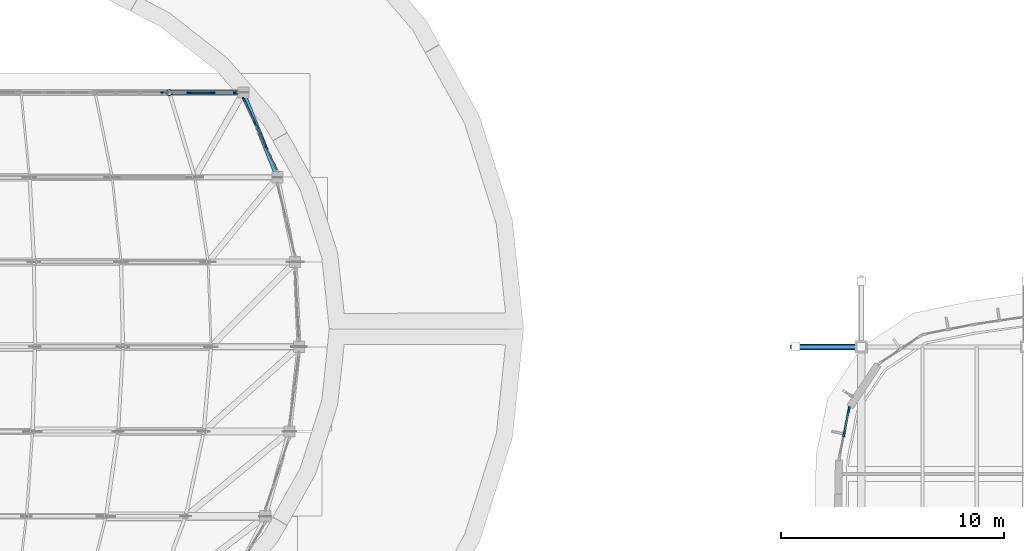
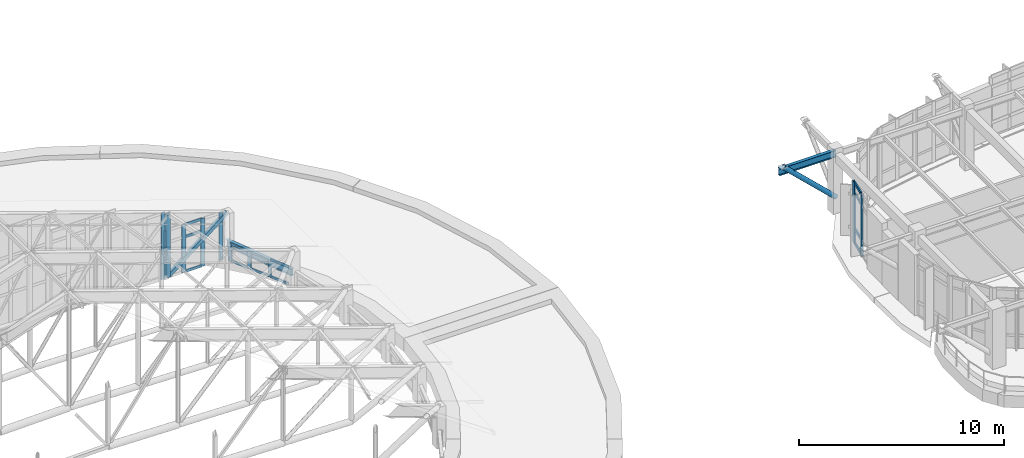
# One storey, part 21 of 105: 26 members, 2 beams, 4 elements without a shape of their own.
"""IFC4 building model written with IfcOpenShell, lengths in metres."""

from ifc_helpers import new_model, si_unit, direction, frame, origin, origin_2d, place, context, subcontext, project, spatial, rectangle, hollow_rectangle, hollow_circle, i_section, extrude, material, material_profile, profile_set, type_object, element, aggregate, save


model = new_model("IFC4")

# Units and contexts
model_context = context("Model", 3, precision=1e-05, world=origin(), true_north=direction((0.0, 1.0)))
body_context = subcontext(model_context, "Body", "Model", "MODEL_VIEW")
ifc_project = project(units=[si_unit("LENGTHUNIT", "METRE"), si_unit("AREAUNIT", "SQUARE_METRE"), si_unit("VOLUMEUNIT", "CUBIC_METRE"), si_unit("PLANEANGLEUNIT", "RADIAN"), si_unit("MASSUNIT", "GRAM", prefix="KILO")], contexts=[model_context])

# Site, building, storey
site_placement = place(None, origin())
site = spatial("IfcSite", under=ifc_project, at=site_placement, CompositionType="ELEMENT")
building_placement = place(site_placement, origin())
building = spatial("IfcBuilding", under=site, at=building_placement, Name="Corveleigh Park Community Centre", CompositionType="ELEMENT")
storey_placement = place(building_placement, frame((0.0, 0.0, 8.699951171875)))
storey = spatial("IfcBuildingStorey", under=building, at=storey_placement, Name="L02", CompositionType="ELEMENT", Elevation=8.699951171875)

# Beams
ifc_material_1 = material(Name="Steel S355", Category="steel")
ifc_material_profile_1 = material_profile(ifc_material_1, i_section(OverallWidth=0.1787109375, OverallDepth=0.409423828125, WebThickness=0.0087890625, FlangeThickness=0.014404296875, at=origin_2d()), Name="UKB 406x178x67", Category="steel")
ifc_profile_set_1 = profile_set([ifc_material_profile_1], Name="Steel S355")
beam_type = type_object("IfcBeamType", Name="BM-STL-UKB406x67", PredefinedType="BEAM", material=ifc_profile_set_1)
beam_1_placement = place(storey_placement, frame((45.817138671875, 34.404541015625, 0.915283203125), z_axis=(-0.373254520888, 0.927728981242, 0.0), x_axis=(-0.927728981242, -0.373254520888, 0.0)))
element("IfcBeam", 1, at=beam_1_placement, inside=storey, type_object=beam_type, Name="V1 East Eave Tie Beam", PredefinedType="BEAM", context=body_context, shape_type="SweptSolid", body=[
    extrude(i_section(OverallWidth=0.1787109375, OverallDepth=0.409423828125, WebThickness=0.0087890625, FlangeThickness=0.014404296875, at=origin_2d()), origin(), (0.0, 0.0, 1.0), 4.086181640625),
])
beam_2_placement = place(storey_placement, frame((71.989990234375, 26.800048828125, 3.459228515625), z_axis=(-1.0, 0.0, 0.0), x_axis=(0.0, -1.0, 0.0)))
element("IfcBeam", 2, at=beam_2_placement, inside=storey, type_object=beam_type, Name="V3 End Pebble Overhang Strut 0-2 Outrigger", PredefinedType="BEAM", context=body_context, shape_type="SweptSolid", body=[
    extrude(i_section(OverallWidth=0.1787109375, OverallDepth=0.409423828125, WebThickness=0.0087890625, FlangeThickness=0.014404296875, at=origin_2d()), origin(), (0.0, 0.0, 1.0), 3.18994140625),
])

# Curtain wall, members
ifc_material_2 = material(Name="Anodised aluminium 6063-T6", Category="aluminium")
curtain_wall_type_1 = type_object("IfcCurtainWallType", Name="CW-SYS-V1-L00", PredefinedType="NOTDEFINED", material=ifc_material_2)
curtain_wall_1_placement = place(storey_placement, origin())
curtain_wall_1 = element("IfcCurtainWall", 3, at=curtain_wall_1_placement, inside=storey, type_object=curtain_wall_type_1, Name="Main Hall East Eave Clerestory 6", PredefinedType="NOTDEFINED")
ifc_material_profile_2 = material_profile(ifc_material_2, rectangle(XDim=0.070068359375, YDim=0.199951171875, at=origin_2d()), Name="ALU-M70x200", Category="aluminium")
ifc_profile_set_2 = profile_set([ifc_material_profile_2], Name="Anodised aluminium 6063-T6")
member_type_1 = type_object("IfcMemberType", Name="CWM-70x200", PredefinedType="MULLION", material=ifc_profile_set_2)
member_1_placement = place(storey_placement, frame((44.304931640625, 37.888427734375, 0.0), z_axis=(0.0, 0.0, 1.0), x_axis=(0.904356392626, 0.426778063068, 0.0)))
member_1 = element("IfcMember", 4, at=member_1_placement, type_object=member_type_1, Name="CW01 mullion 1", PredefinedType="MULLION", context=body_context, shape_type="SweptSolid", body=[
    extrude(rectangle(XDim=0.070068359375, YDim=0.199951171875, at=origin_2d()), origin(), (0.0, 0.0, 1.0), 1.06005859375),
])
member_2_placement = place(storey_placement, frame((44.799560546875, 36.840087890625, 0.0), z_axis=(0.0, 0.0, 1.0), x_axis=(0.904356392626, 0.426778063068, 0.0)))
member_2 = element("IfcMember", 5, at=member_2_placement, type_object=member_type_1, Name="CW01 mullion 2", PredefinedType="MULLION", context=body_context, shape_type="SweptSolid", body=[
    extrude(rectangle(XDim=0.070068359375, YDim=0.199951171875, at=origin_2d()), origin(), (0.0, 0.0, 1.0), 1.06005859375),
])
member_3_placement = place(storey_placement, frame((45.309326171875, 35.760009765625, 0.0), z_axis=(0.0, 0.0, 1.0), x_axis=(0.904356392626, 0.426778063068, 0.0)))
member_3 = element("IfcMember", 6, at=member_3_placement, type_object=member_type_1, Name="CW01 mullion 3", PredefinedType="MULLION", context=body_context, shape_type="SweptSolid", body=[
    extrude(rectangle(XDim=0.070068359375, YDim=0.199951171875, at=origin_2d()), origin(), (0.0, 0.0, 1.0), 1.06005859375),
])

# Curtain wall, member
curtain_wall_type_2 = type_object("IfcCurtainWallType", Name="CW-SYS-V1-DRUM", PredefinedType="NOTDEFINED", material=ifc_material_2)
curtain_wall_2_placement = place(storey_placement, origin())
curtain_wall_2 = element("IfcCurtainWall", 7, at=curtain_wall_2_placement, inside=storey, type_object=curtain_wall_type_2, Name="Main Hall N Gable Clerestory 7", PredefinedType="NOTDEFINED")
ifc_material_profile_3 = material_profile(ifc_material_2, rectangle(XDim=0.074951171875, YDim=0.219970703125, at=origin_2d()), Name="ALU-M75x220", Category="aluminium")
ifc_profile_set_3 = profile_set([ifc_material_profile_3], Name="Anodised aluminium 6063-T6")
member_type_2 = type_object("IfcMemberType", Name="CWM-75x220", PredefinedType="MULLION", material=ifc_profile_set_3)
member_4_placement = place(storey_placement, frame((40.689453125, 38.199951171875, 0.0), z_axis=(0.0, 0.0, 1.0), x_axis=(0.0, -1.0, 0.0)))
member_4 = element("IfcMember", 8, at=member_4_placement, type_object=member_type_2, Name="CW02 mullion 1", PredefinedType="MULLION", context=body_context, shape_type="SweptSolid", body=[
    extrude(rectangle(XDim=0.074951171875, YDim=0.219970703125, at=origin_2d()), origin(), (0.0, 0.0, 1.0), 3.967041015625),
])
aggregate(curtain_wall_2, [member_4])

# Curtain wall, members
curtain_wall_3_placement = place(storey_placement, origin())
curtain_wall_3 = element("IfcCurtainWall", 9, at=curtain_wall_3_placement, inside=storey, type_object=curtain_wall_type_2, Name="Main Hall N Gable Clerestory 8", PredefinedType="NOTDEFINED")
member_5_placement = place(storey_placement, frame((43.9423828125, 38.199951171875, 0.0), z_axis=(0.0, 0.0, 1.0), x_axis=(0.0, -1.0, 0.0)))
member_5 = element("IfcMember", 10, at=member_5_placement, type_object=member_type_2, Name="CW02 mullion 1", PredefinedType="MULLION", context=body_context, shape_type="SweptSolid", body=[
    extrude(rectangle(XDim=0.074951171875, YDim=0.219970703125, at=origin_2d()), origin(), (0.0, 0.0, 1.0), 2.85498046875),
])
member_6_placement = place(storey_placement, frame((42.916015625, 38.199951171875, 0.0), z_axis=(0.0, 0.0, 1.0), x_axis=(0.0, -1.0, 0.0)))
member_6 = element("IfcMember", 11, at=member_6_placement, type_object=member_type_2, Name="CW02 mullion 2", PredefinedType="MULLION", context=body_context, shape_type="SweptSolid", body=[
    extrude(rectangle(XDim=0.074951171875, YDim=0.219970703125, at=origin_2d()), origin(), (0.0, 0.0, 1.0), 2.85498046875),
])
member_7_placement = place(storey_placement, frame((41.85205078125, 38.199951171875, 0.0), z_axis=(0.0, 0.0, 1.0), x_axis=(0.0, -1.0, 0.0)))
member_7 = element("IfcMember", 12, at=member_7_placement, type_object=member_type_2, Name="CW02 mullion 3", PredefinedType="MULLION", context=body_context, shape_type="SweptSolid", body=[
    extrude(rectangle(XDim=0.074951171875, YDim=0.219970703125, at=origin_2d()), origin(), (0.0, 0.0, 1.0), 2.85498046875),
])
member_8_placement = place(storey_placement, frame((40.825439453125, 38.199951171875, 0.0), z_axis=(0.0, 0.0, 1.0), x_axis=(0.0, -1.0, 0.0)))
member_8 = element("IfcMember", 13, at=member_8_placement, type_object=member_type_2, Name="CW02 mullion 4", PredefinedType="MULLION", context=body_context, shape_type="SweptSolid", body=[
    extrude(rectangle(XDim=0.074951171875, YDim=0.219970703125, at=origin_2d()), origin(), (0.0, 0.0, 1.0), 2.85498046875),
])

curtain_wall_type_3 = type_object("IfcCurtainWallType", Name="CW-SYS-V3-UPP", PredefinedType="NOTDEFINED", material=ifc_material_2)
curtain_wall_4_placement = place(storey_placement, origin())
curtain_wall_4 = element("IfcCurtainWall", 14, at=curtain_wall_4_placement, inside=storey, type_object=curtain_wall_type_3, Name="V3 L02 Curtain Wall 354", PredefinedType="NOTDEFINED")
ifc_material_profile_4 = material_profile(ifc_material_2, rectangle(XDim=0.0849609375, YDim=0.27490234375, at=origin_2d()), Name="ALU-M85x275", Category="aluminium")
ifc_profile_set_4 = profile_set([ifc_material_profile_4], Name="Anodised aluminium 6063-T6")
member_type_3 = type_object("IfcMemberType", Name="CWM-85x275", PredefinedType="MULLION", material=ifc_profile_set_4)
member_9_placement = place(storey_placement, frame((71.22802734375, 22.89892578125, 0.0), z_axis=(0.0, 0.0, 1.0), x_axis=(-0.980848499041, 0.194772230896, 0.0)))
member_9 = element("IfcMember", 15, at=member_9_placement, type_object=member_type_3, Name="CW06 mullion 2", PredefinedType="MULLION", context=body_context, shape_type="SweptSolid", body=[
    extrude(rectangle(XDim=0.0849609375, YDim=0.27490234375, at=origin_2d()), origin(), (0.0, 0.0, 1.0), 3.6640625),
])
member_10_placement = place(storey_placement, frame((71.442626953125, 23.980224609375, 0.0), z_axis=(0.0, 0.0, 1.0), x_axis=(-0.980848499041, 0.194772230896, 0.0)))
member_10 = element("IfcMember", 16, at=member_10_placement, type_object=member_type_3, Name="CW06 mullion 3", PredefinedType="MULLION", context=body_context, shape_type="SweptSolid", body=[
    extrude(rectangle(XDim=0.0849609375, YDim=0.27490234375, at=origin_2d()), origin(), (0.0, 0.0, 1.0), 3.6640625),
])

# Member
ifc_material_profile_5 = material_profile(ifc_material_2, rectangle(XDim=0.06494140625, YDim=0.139892578125, at=origin_2d()), Name="ALU-T65x140", Category="aluminium")
ifc_profile_set_5 = profile_set([ifc_material_profile_5], Name="Anodised aluminium 6063-T6")
member_type_4 = type_object("IfcMemberType", Name="CWT-65x140", PredefinedType="USERDEFINED", material=ifc_profile_set_5)
member_11_placement = place(storey_placement, frame((44.31982421875, 37.856689453125, 0.032470703125), z_axis=(0.426746662754, -0.904371210195, 0.0), x_axis=(0.904371210195, 0.426746662754, 0.0)))
member_11 = element("IfcMember", 17, at=member_11_placement, type_object=member_type_4, Name="CW01 transom 1.1", ObjectType="TRANSOM", PredefinedType="USERDEFINED", context=body_context, shape_type="SweptSolid", body=[
    extrude(rectangle(XDim=0.06494140625, YDim=0.139892578125, at=origin_2d()), origin(), (0.0, 0.0, 1.0), 1.08935546875),
])

member_12_placement = place(storey_placement, frame((44.31982421875, 37.856689453125, 1.027587890625), z_axis=(0.426746662754, -0.904371210195, 0.0), x_axis=(0.904371210195, 0.426746662754, 0.0)))
member_12 = element("IfcMember", 18, at=member_12_placement, type_object=member_type_4, Name="CW01 transom 1.2", ObjectType="TRANSOM", PredefinedType="USERDEFINED", context=body_context, shape_type="SweptSolid", body=[
    extrude(rectangle(XDim=0.06494140625, YDim=0.139892578125, at=origin_2d()), origin(), (0.0, 0.0, 1.0), 1.08935546875),
])

member_13_placement = place(storey_placement, frame((44.814697265625, 36.808349609375, 0.032470703125), z_axis=(0.426769510613, -0.904360428596, 0.0), x_axis=(0.904360428596, 0.426769510613, 0.0)))
member_13 = element("IfcMember", 19, at=member_13_placement, type_object=member_type_4, Name="CW01 transom 2.1", ObjectType="TRANSOM", PredefinedType="USERDEFINED", context=body_context, shape_type="SweptSolid", body=[
    extrude(rectangle(XDim=0.06494140625, YDim=0.139892578125, at=origin_2d()), origin(), (0.0, 0.0, 1.0), 1.1240234375),
])

member_14_placement = place(storey_placement, frame((44.814697265625, 36.808349609375, 1.027587890625), z_axis=(0.426769510613, -0.904360428596, 0.0), x_axis=(0.904360428596, 0.426769510613, 0.0)))
member_14 = element("IfcMember", 20, at=member_14_placement, type_object=member_type_4, Name="CW01 transom 2.2", ObjectType="TRANSOM", PredefinedType="USERDEFINED", context=body_context, shape_type="SweptSolid", body=[
    extrude(rectangle(XDim=0.06494140625, YDim=0.139892578125, at=origin_2d()), origin(), (0.0, 0.0, 1.0), 1.1240234375),
])

member_15_placement = place(storey_placement, frame((45.32421875, 35.728271484375, 0.032470703125), z_axis=(0.426833179123, -0.904330380558, 0.0), x_axis=(0.904330380558, 0.426833179123, 0.0)))
member_15 = element("IfcMember", 21, at=member_15_placement, type_object=member_type_4, Name="CW01 transom 3.1", ObjectType="TRANSOM", PredefinedType="USERDEFINED", context=body_context, shape_type="SweptSolid", body=[
    extrude(rectangle(XDim=0.06494140625, YDim=0.139892578125, at=origin_2d()), origin(), (0.0, 0.0, 1.0), 1.089111328125),
])

member_16_placement = place(storey_placement, frame((45.32421875, 35.728271484375, 1.027587890625), z_axis=(0.426833179123, -0.904330380558, 0.0), x_axis=(0.904330380558, 0.426833179123, 0.0)))
member_16 = element("IfcMember", 22, at=member_16_placement, type_object=member_type_4, Name="CW01 transom 3.2", ObjectType="TRANSOM", PredefinedType="USERDEFINED", context=body_context, shape_type="SweptSolid", body=[
    extrude(rectangle(XDim=0.06494140625, YDim=0.139892578125, at=origin_2d()), origin(), (0.0, 0.0, 1.0), 1.089111328125),
])

aggregate(curtain_wall_1, [member_1, member_2, member_3, member_11, member_12, member_13, member_14, member_15, member_16])

ifc_material_profile_6 = material_profile(ifc_material_2, rectangle(XDim=0.070068359375, YDim=0.155029296875, at=origin_2d()), Name="ALU-T70x155", Category="aluminium")
ifc_profile_set_6 = profile_set([ifc_material_profile_6], Name="Anodised aluminium 6063-T6")
member_type_5 = type_object("IfcMemberType", Name="CWT-70x155", PredefinedType="USERDEFINED", material=ifc_profile_set_6)
member_17_placement = place(storey_placement, frame((42.87841796875, 38.199951171875, 0.03515625), z_axis=(-1.0, 0.0, 0.0), x_axis=(0.0, -1.0, 0.0)))
member_17 = element("IfcMember", 23, at=member_17_placement, type_object=member_type_5, Name="CW02 transom 2.1", ObjectType="TRANSOM", PredefinedType="USERDEFINED", context=body_context, shape_type="SweptSolid", body=[
    extrude(rectangle(XDim=0.070068359375, YDim=0.155029296875, at=origin_2d()), origin(), (0.0, 0.0, 1.0), 0.989013671875),
])

member_18_placement = place(storey_placement, frame((42.87841796875, 38.199951171875, 2.10009765625), z_axis=(-1.0, 0.0, 0.0), x_axis=(0.0, -1.0, 0.0)))
member_18 = element("IfcMember", 24, at=member_18_placement, type_object=member_type_5, Name="CW02 transom 2.2", ObjectType="TRANSOM", PredefinedType="USERDEFINED", context=body_context, shape_type="SweptSolid", body=[
    extrude(rectangle(XDim=0.070068359375, YDim=0.155029296875, at=origin_2d()), origin(), (0.0, 0.0, 1.0), 0.989013671875),
])

member_19_placement = place(storey_placement, frame((42.87841796875, 38.199951171875, 2.820068359375), z_axis=(-1.0, 0.0, 0.0), x_axis=(0.0, -1.0, 0.0)))
member_19 = element("IfcMember", 25, at=member_19_placement, type_object=member_type_5, Name="CW02 transom 2.3", ObjectType="TRANSOM", PredefinedType="USERDEFINED", context=body_context, shape_type="SweptSolid", body=[
    extrude(rectangle(XDim=0.070068359375, YDim=0.155029296875, at=origin_2d()), origin(), (0.0, 0.0, 1.0), 0.989013671875),
])

aggregate(curtain_wall_3, [member_5, member_6, member_7, member_8, member_17, member_18, member_19])

ifc_material_profile_7 = material_profile(ifc_material_2, rectangle(XDim=0.074951171875, YDim=0.175048828125, at=origin_2d()), Name="ALU-T75x175", Category="aluminium")
ifc_profile_set_7 = profile_set([ifc_material_profile_7], Name="Anodised aluminium 6063-T6")
member_type_6 = type_object("IfcMemberType", Name="CWT-75x175", PredefinedType="USERDEFINED", material=ifc_profile_set_7)
member_20_placement = place(storey_placement, frame((71.236328125, 22.940673828125, 0.03759765625), z_axis=(0.194593188066, 0.98088403553, 0.0), x_axis=(-0.98088403553, 0.194593188066, 0.0)))
member_20 = element("IfcMember", 26, at=member_20_placement, type_object=member_type_6, Name="CW06 transom 2.1", ObjectType="TRANSOM", PredefinedType="USERDEFINED", context=body_context, shape_type="SweptSolid", body=[
    extrude(rectangle(XDim=0.074951171875, YDim=0.175048828125, at=origin_2d()), origin(), (0.0, 0.0, 1.0), 1.017578125),
])

member_21_placement = place(storey_placement, frame((71.236328125, 22.940673828125, 0.900146484375), z_axis=(0.194593188066, 0.98088403553, 0.0), x_axis=(-0.98088403553, 0.194593188066, 0.0)))
member_21 = element("IfcMember", 27, at=member_21_placement, type_object=member_type_6, Name="CW06 transom 2.2", ObjectType="TRANSOM", PredefinedType="USERDEFINED", context=body_context, shape_type="SweptSolid", body=[
    extrude(rectangle(XDim=0.074951171875, YDim=0.175048828125, at=origin_2d()), origin(), (0.0, 0.0, 1.0), 1.017578125),
])

member_22_placement = place(storey_placement, frame((71.236328125, 22.940673828125, 3.01416015625), z_axis=(0.194593188066, 0.98088403553, 0.0), x_axis=(-0.98088403553, 0.194593188066, 0.0)))
member_22 = element("IfcMember", 28, at=member_22_placement, type_object=member_type_6, Name="CW06 transom 2.3", ObjectType="TRANSOM", PredefinedType="USERDEFINED", context=body_context, shape_type="SweptSolid", body=[
    extrude(rectangle(XDim=0.074951171875, YDim=0.175048828125, at=origin_2d()), origin(), (0.0, 0.0, 1.0), 1.017578125),
])

member_23_placement = place(storey_placement, frame((71.236328125, 22.940673828125, 3.62646484375), z_axis=(0.194593188066, 0.98088403553, 0.0), x_axis=(-0.98088403553, 0.194593188066, 0.0)))
member_23 = element("IfcMember", 29, at=member_23_placement, type_object=member_type_6, Name="CW06 transom 2.4", ObjectType="TRANSOM", PredefinedType="USERDEFINED", context=body_context, shape_type="SweptSolid", body=[
    extrude(rectangle(XDim=0.074951171875, YDim=0.175048828125, at=origin_2d()), origin(), (0.0, 0.0, 1.0), 1.017578125),
])

aggregate(curtain_wall_4, [member_9, member_10, member_20, member_21, member_22, member_23])

# Members
ifc_material_profile_8 = material_profile(ifc_material_1, hollow_rectangle(XDim=0.199951171875, YDim=0.199951171875, WallThickness=0.010009765625, at=origin_2d()), Name="SHS 200x200x10.0", Category="steel")
ifc_profile_set_8 = profile_set([ifc_material_profile_8], Name="Steel S355")
member_type_7 = type_object("IfcMemberType", Name="MEM-CHD-SHS200", PredefinedType="CHORD", material=ifc_profile_set_8)
member_24_placement = place(storey_placement, frame((40.968017578125, 38.199951171875, 0.087158203125), z_axis=(0.780941594802, 0.0, 0.624604054989), x_axis=(0.0, 1.0, 0.0)))
element("IfcMember", 30, at=member_24_placement, inside=storey, type_object=member_type_7, Name="V1 Truss T7 Bottom Chord", PredefinedType="CHORD", context=body_context, shape_type="SweptSolid", body=[
    extrude(hollow_rectangle(XDim=0.199951171875, YDim=0.199951171875, WallThickness=0.010009765625, at=origin_2d()), origin(), (0.0, 0.0, 1.0), 4.25390625),
])
ifc_material_profile_9 = material_profile(ifc_material_1, hollow_circle(Radius=0.136474609375, WallThickness=0.012451171875, at=origin_2d()), Name="CHS 273.0x12.5", Category="steel")
ifc_profile_set_9 = profile_set([ifc_material_profile_9], Name="Steel S355")
member_type_8 = type_object("IfcMemberType", Name="MEM-STR-CHS273E", PredefinedType="STRUT", material=ifc_profile_set_9)
member_25_placement = place(storey_placement, frame((40.968017578125, 38.199951171875, 0.087158203125), z_axis=(0.0, 0.0, 1.0), x_axis=(1.0, 0.0, 0.0)))
element("IfcMember", 31, at=member_25_placement, inside=storey, type_object=member_type_8, Name="V1 Truss T7 Web Post", PredefinedType="STRUT", context=body_context, shape_type="SweptSolid", body=[
    extrude(hollow_circle(Radius=0.136474609375, WallThickness=0.012451171875, at=origin_2d()), origin(), (0.0, 0.0, 1.0), 3.707275390625),
])
member_26_placement = place(storey_placement, frame((72.0, 26.800048828125, 0.85009765625), z_axis=(-0.72377100522, 0.0, 0.690040239408), x_axis=(0.0, -1.0, 0.0)))
element("IfcMember", 32, at=member_26_placement, inside=storey, type_object=member_type_8, Name="V3 End Pebble Overhang Strut 0-2", PredefinedType="STRUT", context=body_context, shape_type="SweptSolid", body=[
    extrude(hollow_circle(Radius=0.136474609375, WallThickness=0.012451171875, at=origin_2d()), origin(), (0.0, 0.0, 1.0), 4.067626953125),
])

save(model, "model.ifc")
